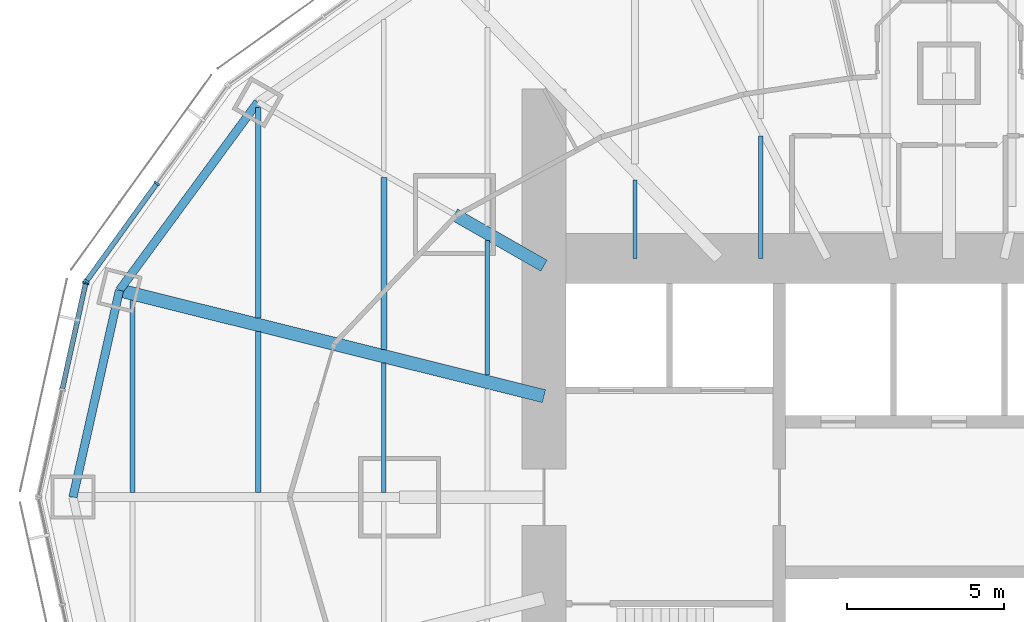
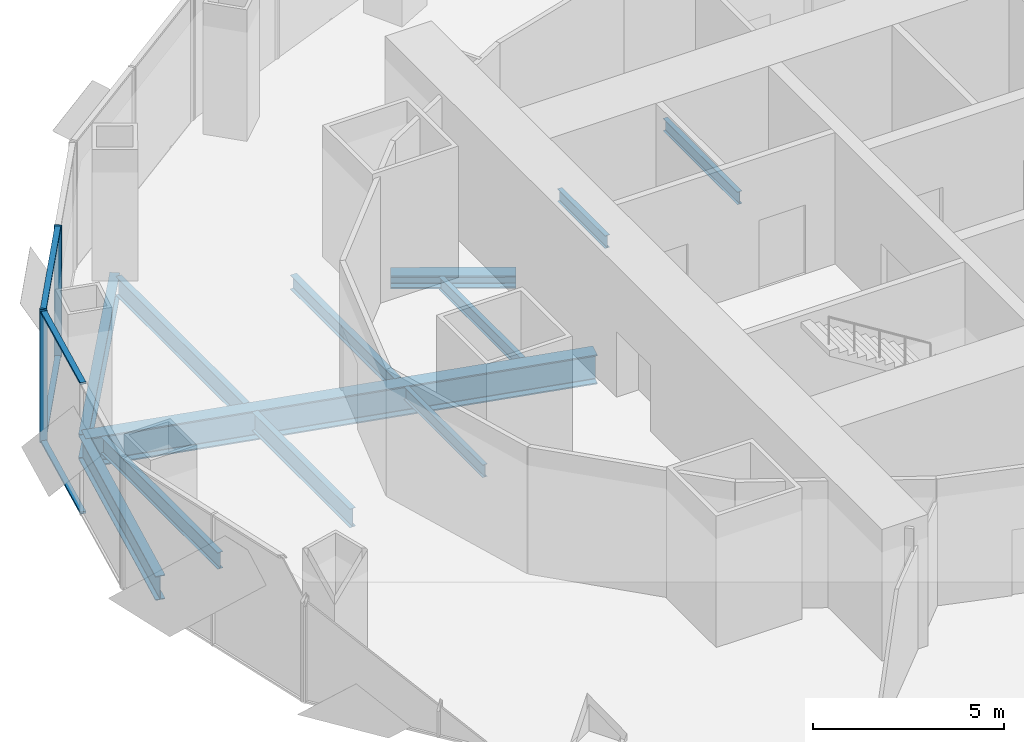
# One storey, part 4 of 18: 12 beams, 7 members, 2 elements without a shape of their own.
"""IFC4 building model written with IfcOpenShell, lengths in metres."""

from ifc_helpers import new_model, si_unit, direction, frame, origin, origin_2d, place, context, subcontext, project, spatial, rectangle, i_section, extrude, material, material_profile, profile_set, type_object, element, aggregate, save


model = new_model("IFC4")

# Units and contexts
model_context = context("Model", 3, precision=1e-05, world=origin(), true_north=direction((0.0, 1.0)))
body_context = subcontext(model_context, "Body", "Model", "MODEL_VIEW")
ifc_project = project(units=[si_unit("LENGTHUNIT", "METRE"), si_unit("AREAUNIT", "SQUARE_METRE"), si_unit("VOLUMEUNIT", "CUBIC_METRE"), si_unit("PLANEANGLEUNIT", "RADIAN"), si_unit("MASSUNIT", "GRAM", prefix="KILO")], contexts=[model_context])

# Site, building, storey
site_placement = place(None, origin())
site = spatial("IfcSite", under=ifc_project, at=site_placement, CompositionType="ELEMENT")
building_placement = place(site_placement, origin())
building = spatial("IfcBuilding", under=site, at=building_placement, Name="Lantaw Convention Tower", CompositionType="ELEMENT")
storey_placement = place(building_placement, frame((0.0, 0.0, 184.60009765625)))
storey = spatial("IfcBuildingStorey", under=building, at=storey_placement, Name="L43", CompositionType="ELEMENT", Elevation=184.60009765625)

# Beams
ifc_material_1 = material(Name="Steel ASTM A992", Category="steel")
ifc_material_profile_1 = material_profile(ifc_material_1, i_section(OverallWidth=0.2666015625, OverallDepth=0.76953125, WebThickness=0.015625, FlangeThickness=0.025390625, FilletRadius=0.0126953125, at=origin_2d()), Name="W30X132")
ifc_profile_set_1 = profile_set([ifc_material_profile_1], Name="Steel ASTM A992")
beam_type_1 = type_object("IfcBeamType", Name="Beam E W30X132", PredefinedType="SPANDREL", material=ifc_profile_set_1)
beam_1_placement = place(storey_placement, frame((-22.013916015625, 12.579345703125, -0.534912109375), z_axis=(-0.5923891972, -0.805651934176, 0.0), x_axis=(0.805651934176, -0.5923891972, 0.0)))
element("IfcBeam", 1, at=beam_1_placement, inside=storey, type_object=beam_type_1, Name="Edge beam 11", PredefinedType="SPANDREL", context=body_context, shape_type="SweptSolid", body=[
    extrude(i_section(OverallWidth=0.2666015625, OverallDepth=0.76953125, WebThickness=0.015625, FlangeThickness=0.025390625, FilletRadius=0.0126953125, at=origin_2d()), origin(), (0.0, 0.0, 1.0), 7.437744140625),
])
beam_2_placement = place(storey_placement, frame((-26.419921875, 6.587158203125, -0.534912109375), z_axis=(-0.219211877447, -0.975677279015, 0.0), x_axis=(0.975677279015, -0.219211877447, 0.0)))
element("IfcBeam", 2, at=beam_2_placement, inside=storey, type_object=beam_type_1, Name="Edge beam 12", PredefinedType="SPANDREL", context=body_context, shape_type="SweptSolid", body=[
    extrude(i_section(OverallWidth=0.2666015625, OverallDepth=0.76953125, WebThickness=0.015625, FlangeThickness=0.025390625, FilletRadius=0.0126953125, at=origin_2d()), origin(), (0.0, 0.0, 1.0), 6.75146484375),
])
ifc_material_profile_2 = material_profile(ifc_material_1, i_section(OverallWidth=0.421630859375, OverallDepth=0.937255859375, WebThickness=0.0224609375, FlangeThickness=0.039794921875, FilletRadius=0.02001953125, at=origin_2d()), Name="W36X282")
ifc_profile_set_2 = profile_set([ifc_material_profile_2], Name="Steel ASTM A992")
beam_type_2 = type_object("IfcBeamType", Name="Beam G W36X282", PredefinedType="BEAM", material=ifc_profile_set_2)
beam_3_placement = place(storey_placement, frame((-12.89990234375, 3.21630859375, -0.61865234375), z_axis=(-0.970296903132, 0.24191717544, 0.0), x_axis=(-0.24191717544, -0.970296903132, 0.0)))
element("IfcBeam", 3, at=beam_3_placement, inside=storey, type_object=beam_type_2, Name="Floor girder on ray 12", PredefinedType="BEAM", context=body_context, shape_type="SweptSolid", body=[
    extrude(i_section(OverallWidth=0.421630859375, OverallDepth=0.937255859375, WebThickness=0.0224609375, FlangeThickness=0.039794921875, FilletRadius=0.02001953125, at=origin_2d()), origin(), (0.0, 0.0, 1.0), 13.933837890625),
])
ifc_material_profile_3 = material_profile(ifc_material_1, i_section(OverallWidth=0.40380859375, OverallDepth=0.406494140625, WebThickness=0.027099609375, FlangeThickness=0.043701171875, FilletRadius=0.01513671875, at=origin_2d()), Name="W14X233")
ifc_profile_set_3 = profile_set([ifc_material_profile_3], Name="Steel ASTM A992")
beam_type_3 = type_object("IfcBeamType", Name="Beam GM W14X233", PredefinedType="BEAM", material=ifc_profile_set_3)
beam_4_placement = place(storey_placement, frame((-12.89990234375, 7.371337890625, -0.353271484375), z_axis=(-0.868238565244, 0.496146947811, 0.0), x_axis=(-0.496146947811, -0.868238565244, 0.0)))
element("IfcBeam", 4, at=beam_4_placement, inside=storey, type_object=beam_type_3, Name="Core link beam on ray 11", PredefinedType="BEAM", context=body_context, shape_type="SweptSolid", body=[
    extrude(i_section(OverallWidth=0.40380859375, OverallDepth=0.406494140625, WebThickness=0.027099609375, FlangeThickness=0.043701171875, FilletRadius=0.01513671875, at=origin_2d()), origin(), (0.0, 0.0, 1.0), 3.28271484375),
])
ifc_material_profile_4 = material_profile(ifc_material_1, i_section(OverallWidth=0.140380859375, OverallDepth=0.40380859375, WebThickness=0.007080078125, FlangeThickness=0.01123046875, FilletRadius=0.01025390625, at=origin_2d()), Name="W16X31")
ifc_profile_set_4 = profile_set([ifc_material_profile_4], Name="Steel ASTM A992")
beam_type_4 = type_object("IfcBeamType", Name="Beam J W16X31", PredefinedType="JOIST", material=ifc_profile_set_4)
beam_5_placement = place(storey_placement, frame((-18.0, 0.14599609375, -0.35205078125), z_axis=(0.0, 1.0, 0.0), x_axis=(-1.0, 0.0, 0.0)))
element("IfcBeam", 5, at=beam_5_placement, inside=storey, type_object=beam_type_4, Name="Floor joist", PredefinedType="JOIST", context=body_context, shape_type="SweptSolid", body=[
    extrude(i_section(OverallWidth=0.140380859375, OverallDepth=0.40380859375, WebThickness=0.007080078125, FlangeThickness=0.01123046875, FilletRadius=0.01025390625, at=origin_2d()), origin(), (0.0, 0.0, 1.0), 4.124755859375),
])
beam_6_placement = place(storey_placement, frame((-14.699951171875, 3.88232421875, -0.35205078125), z_axis=(0.0, 1.0, 0.0), x_axis=(-1.0, 0.0, 0.0)))
element("IfcBeam", 6, at=beam_6_placement, inside=storey, type_object=beam_type_4, Name="Floor joist", PredefinedType="JOIST", context=body_context, shape_type="SweptSolid", body=[
    extrude(i_section(OverallWidth=0.140380859375, OverallDepth=0.40380859375, WebThickness=0.007080078125, FlangeThickness=0.01123046875, FilletRadius=0.01025390625, at=origin_2d()), origin(), (0.0, 0.0, 1.0), 4.28515625),
])
beam_7_placement = place(storey_placement, frame((-10.0, 7.60009765625, -0.35205078125), z_axis=(0.0, 1.0, 0.0), x_axis=(-1.0, 0.0, 0.0)))
element("IfcBeam", 7, at=beam_7_placement, inside=storey, type_object=beam_type_4, Name="Floor joist", PredefinedType="JOIST", context=body_context, shape_type="SweptSolid", body=[
    extrude(i_section(OverallWidth=0.140380859375, OverallDepth=0.40380859375, WebThickness=0.007080078125, FlangeThickness=0.01123046875, FilletRadius=0.01025390625, at=origin_2d()), origin(), (0.0, 0.0, 1.0), 2.49560546875),
])
beam_8_placement = place(storey_placement, frame((-6.0, 7.60009765625, -0.35205078125), z_axis=(0.0, 1.0, 0.0), x_axis=(-1.0, 0.0, 0.0)))
element("IfcBeam", 8, at=beam_8_placement, inside=storey, type_object=beam_type_4, Name="Floor joist", PredefinedType="JOIST", context=body_context, shape_type="SweptSolid", body=[
    extrude(i_section(OverallWidth=0.140380859375, OverallDepth=0.40380859375, WebThickness=0.007080078125, FlangeThickness=0.01123046875, FilletRadius=0.01025390625, at=origin_2d()), origin(), (0.0, 0.0, 1.0), 3.895751953125),
])
ifc_material_profile_5 = material_profile(ifc_material_1, i_section(OverallWidth=0.1904296875, OverallDepth=0.457275390625, WebThickness=0.009033203125, FlangeThickness=0.014404296875, FilletRadius=0.01025390625, at=origin_2d()), Name="W18X50")
ifc_profile_set_5 = profile_set([ifc_material_profile_5], Name="Steel ASTM A992")
beam_type_5 = type_object("IfcBeamType", Name="Beam J W18X50", PredefinedType="JOIST", material=ifc_profile_set_5)
beam_9_placement = place(storey_placement, frame((-18.0, 4.705078125, -0.378662109375), z_axis=(0.0, 1.0, 0.0), x_axis=(-1.0, 0.0, 0.0)))
element("IfcBeam", 9, at=beam_9_placement, inside=storey, type_object=beam_type_5, Name="Floor joist", PredefinedType="JOIST", context=body_context, shape_type="SweptSolid", body=[
    extrude(i_section(OverallWidth=0.1904296875, OverallDepth=0.457275390625, WebThickness=0.009033203125, FlangeThickness=0.014404296875, FilletRadius=0.01025390625, at=origin_2d()), origin(), (0.0, 0.0, 1.0), 5.47802734375),
])
ifc_material_profile_6 = material_profile(ifc_material_1, i_section(OverallWidth=0.1650390625, OverallDepth=0.52587890625, WebThickness=0.0087890625, FlangeThickness=0.011474609375, FilletRadius=0.0126953125, at=origin_2d()), Name="W21X44")
ifc_profile_set_6 = profile_set([ifc_material_profile_6], Name="Steel ASTM A992")
beam_type_6 = type_object("IfcBeamType", Name="Beam J W21X44", PredefinedType="JOIST", material=ifc_profile_set_6)
beam_10_placement = place(storey_placement, frame((-26.0, 0.14599609375, -0.4130859375), z_axis=(0.0, 1.0, 0.0), x_axis=(-1.0, 0.0, 0.0)))
element("IfcBeam", 10, at=beam_10_placement, inside=storey, type_object=beam_type_6, Name="Floor joist", PredefinedType="JOIST", context=body_context, shape_type="SweptSolid", body=[
    extrude(i_section(OverallWidth=0.1650390625, OverallDepth=0.52587890625, WebThickness=0.0087890625, FlangeThickness=0.011474609375, FilletRadius=0.0126953125, at=origin_2d()), origin(), (0.0, 0.0, 1.0), 6.119140625),
])
ifc_material_profile_7 = material_profile(ifc_material_1, i_section(OverallWidth=0.177978515625, OverallDepth=0.599365234375, WebThickness=0.010009765625, FlangeThickness=0.012939453125, FilletRadius=0.012939453125, at=origin_2d()), Name="W24X55")
ifc_profile_set_7 = profile_set([ifc_material_profile_7], Name="Steel ASTM A992")
beam_type_7 = type_object("IfcBeamType", Name="Beam J W24X55", PredefinedType="JOIST", material=ifc_profile_set_7)
beam_11_placement = place(storey_placement, frame((-22.0, 0.14599609375, -0.44970703125), z_axis=(0.0, 1.0, 0.0), x_axis=(-1.0, 0.0, 0.0)))
element("IfcBeam", 11, at=beam_11_placement, inside=storey, type_object=beam_type_7, Name="Floor joist", PredefinedType="JOIST", context=body_context, shape_type="SweptSolid", body=[
    extrude(i_section(OverallWidth=0.177978515625, OverallDepth=0.599365234375, WebThickness=0.010009765625, FlangeThickness=0.012939453125, FilletRadius=0.012939453125, at=origin_2d()), origin(), (0.0, 0.0, 1.0), 5.121826171875),
])
beam_12_placement = place(storey_placement, frame((-22.0, 5.702392578125, -0.44970703125), z_axis=(0.0, 1.0, 0.0), x_axis=(-1.0, 0.0, 0.0)))
element("IfcBeam", 12, at=beam_12_placement, inside=storey, type_object=beam_type_7, Name="Floor joist", PredefinedType="JOIST", context=body_context, shape_type="SweptSolid", body=[
    extrude(i_section(OverallWidth=0.177978515625, OverallDepth=0.599365234375, WebThickness=0.010009765625, FlangeThickness=0.012939453125, FilletRadius=0.012939453125, at=origin_2d()), origin(), (0.0, 0.0, 1.0), 6.70654296875),
])

# Curtain wall, members
ifc_material_2 = material(Name="Aluminium framed curtain wall", Category="aluminium")
curtain_wall_type = type_object("IfcCurtainWallType", Name="Office curtain wall low rise, pale aluminium", PredefinedType="USERDEFINED", material=ifc_material_2)
curtain_wall_1_placement = place(storey_placement, origin())
curtain_wall_1 = element("IfcCurtainWall", 13, at=curtain_wall_1_placement, inside=storey, type_object=curtain_wall_type, Name="Office curtain wall low rise, pale aluminium L43", ObjectType="UNITISED CURTAIN WALL", PredefinedType="USERDEFINED")
ifc_material_3 = material(Name="Aluminium 6063-T6", Category="aluminium")
ifc_material_profile_8 = material_profile(ifc_material_3, rectangle(XDim=0.199951171875, YDim=0.06494140625, at=origin_2d()), Name="CW-O1 mullion 65x200")
ifc_profile_set_8 = profile_set([ifc_material_profile_8], Name="Aluminium 6063-T6")
member_type_1 = type_object("IfcMemberType", Name="CW-O1 mullion 65x200", PredefinedType="MULLION", material=ifc_profile_set_8)
member_1_placement = place(storey_placement, frame((-25.22802734375, 9.9892578125, -0.150146484375), z_axis=(0.0, 0.0, 1.0), x_axis=(0.811384633629, -0.584512597221, 0.0)))
member_1 = element("IfcMember", 14, at=member_1_placement, type_object=member_type_1, Name="CW-O1 mullion 2", PredefinedType="MULLION", context=body_context, shape_type="SweptSolid", body=[
    extrude(rectangle(XDim=0.199951171875, YDim=0.06494140625, at=origin_2d()), origin(), (0.0, 0.0, 1.0), 4.199951171875),
])
member_2_placement = place(storey_placement, frame((-27.46826171875, 6.879638671875, -0.150146484375), z_axis=(0.0, 0.0, 1.0), x_axis=(0.811384633629, -0.584512597221, 0.0)))
member_2 = element("IfcMember", 15, at=member_2_placement, type_object=member_type_1, Name="CW-O1 mullion 3", PredefinedType="MULLION", context=body_context, shape_type="SweptSolid", body=[
    extrude(rectangle(XDim=0.199951171875, YDim=0.06494140625, at=origin_2d()), origin(), (0.0, 0.0, 1.0), 4.199951171875),
])

# Curtain wall, member
curtain_wall_2_placement = place(storey_placement, origin())
curtain_wall_2 = element("IfcCurtainWall", 16, at=curtain_wall_2_placement, inside=storey, type_object=curtain_wall_type, Name="Office curtain wall low rise, pale aluminium L43", ObjectType="UNITISED CURTAIN WALL", PredefinedType="USERDEFINED")
member_3_placement = place(storey_placement, frame((-27.494140625, 6.821533203125, -0.150146484375), z_axis=(0.0, 0.0, 1.0), x_axis=(0.9764936509, -0.215546166174, 0.0)))
member_3 = element("IfcMember", 17, at=member_3_placement, type_object=member_type_1, Name="CW-O1 mullion 1", PredefinedType="MULLION", context=body_context, shape_type="SweptSolid", body=[
    extrude(rectangle(XDim=0.199951171875, YDim=0.06494140625, at=origin_2d()), origin(), (0.0, 0.0, 1.0), 4.199951171875),
])

# Member
ifc_material_profile_9 = material_profile(ifc_material_3, rectangle(XDim=0.159912109375, YDim=0.06494140625, at=origin_2d()), Name="CW-O1 transom 65x160")
ifc_profile_set_9 = profile_set([ifc_material_profile_9], Name="Aluminium 6063-T6")
member_type_2 = type_object("IfcMemberType", Name="CW-O1 transom 65x160", PredefinedType="USERDEFINED", material=ifc_profile_set_9)
member_4_placement = place(storey_placement, frame((-25.2470703125, 9.962890625, -0.11767578125), z_axis=(-0.584512973979, -0.811384362217, 0.0), x_axis=(0.811384362217, -0.584512973979, 0.0)))
member_4 = element("IfcMember", 18, at=member_4_placement, type_object=member_type_2, Name="CW-O1 transom 2.1", ObjectType="TRANSOM", PredefinedType="USERDEFINED", context=body_context, shape_type="SweptSolid", body=[
    extrude(rectangle(XDim=0.159912109375, YDim=0.06494140625, at=origin_2d()), origin(), (0.0, 0.0, 1.0), 3.767578125),
])

member_5_placement = place(storey_placement, frame((-25.2470703125, 9.962890625, 4.017333984375), z_axis=(-0.584512973979, -0.811384362217, 0.0), x_axis=(0.811384362217, -0.584512973979, 0.0)))
member_5 = element("IfcMember", 19, at=member_5_placement, type_object=member_type_2, Name="CW-O1 transom 2.2", ObjectType="TRANSOM", PredefinedType="USERDEFINED", context=body_context, shape_type="SweptSolid", body=[
    extrude(rectangle(XDim=0.159912109375, YDim=0.06494140625, at=origin_2d()), origin(), (0.0, 0.0, 1.0), 3.767578125),
])

aggregate(curtain_wall_1, [member_1, member_2, member_4, member_5])

member_6_placement = place(storey_placement, frame((-27.501220703125, 6.789794921875, -0.11767578125), z_axis=(-0.21555115847, -0.976492548913, 0.0), x_axis=(0.976492548913, -0.21555115847, 0.0)))
member_6 = element("IfcMember", 20, at=member_6_placement, type_object=member_type_2, Name="CW-O1 transom 1.1", ObjectType="TRANSOM", PredefinedType="USERDEFINED", context=body_context, shape_type="SweptSolid", body=[
    extrude(rectangle(XDim=0.159912109375, YDim=0.06494140625, at=origin_2d()), origin(), (0.0, 0.0, 1.0), 3.411376953125),
])

member_7_placement = place(storey_placement, frame((-27.501220703125, 6.789794921875, 4.017333984375), z_axis=(-0.21555115847, -0.976492548913, 0.0), x_axis=(0.976492548913, -0.21555115847, 0.0)))
member_7 = element("IfcMember", 21, at=member_7_placement, type_object=member_type_2, Name="CW-O1 transom 1.2", ObjectType="TRANSOM", PredefinedType="USERDEFINED", context=body_context, shape_type="SweptSolid", body=[
    extrude(rectangle(XDim=0.159912109375, YDim=0.06494140625, at=origin_2d()), origin(), (0.0, 0.0, 1.0), 3.411376953125),
])

aggregate(curtain_wall_2, [member_3, member_6, member_7])

save(model, "model.ifc")
